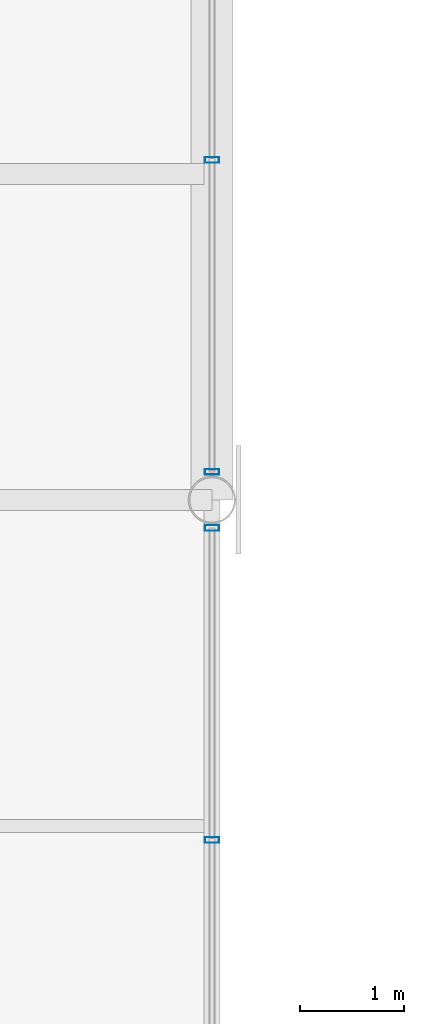
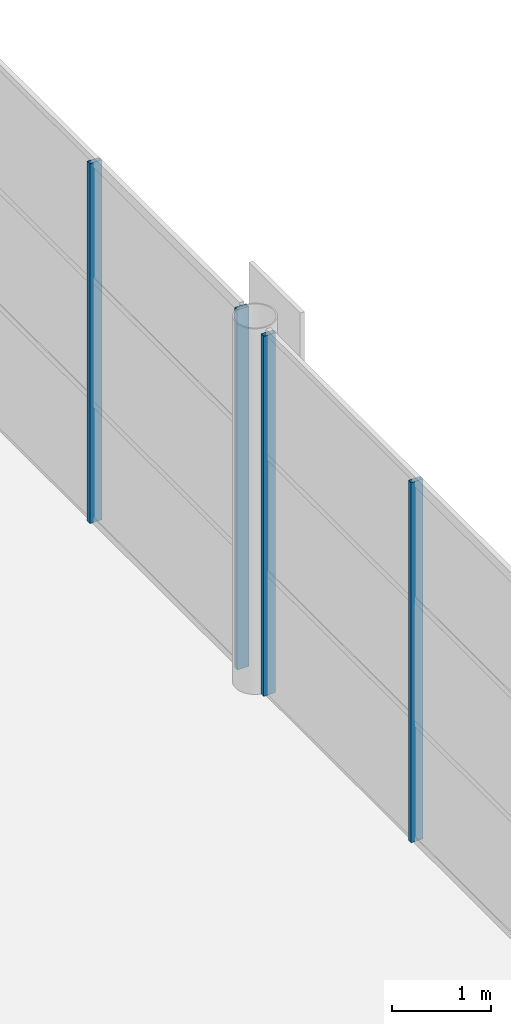
# One storey, part 45 of 101: 4 members, 2 elements without a shape of their own.
"""IFC4 building model written with IfcOpenShell, lengths in metres."""

from ifc_helpers import new_model, si_unit, direction, frame, origin, origin_2d, place, context, subcontext, project, spatial, hollow_rectangle, extrude, material, material_profile, profile_set, type_object, element, aggregate, save


model = new_model("IFC4")

# Units and contexts
model_context = context("Model", 3, precision=1e-05, world=origin(), true_north=direction((0.0, 1.0)))
body_context = subcontext(model_context, "Body", "Model", "MODEL_VIEW")
ifc_project = project(units=[si_unit("LENGTHUNIT", "METRE"), si_unit("AREAUNIT", "SQUARE_METRE"), si_unit("VOLUMEUNIT", "CUBIC_METRE"), si_unit("PLANEANGLEUNIT", "RADIAN"), si_unit("MASSUNIT", "GRAM", prefix="KILO")], contexts=[model_context])

# Site, building, storey
site_placement = place(None, origin())
site = spatial("IfcSite", under=ifc_project, at=site_placement, CompositionType="ELEMENT")
building_placement = place(site_placement, origin())
building = spatial("IfcBuilding", under=site, at=building_placement, Name="Solvikara Media Centre", CompositionType="ELEMENT")
storey_placement = place(building_placement, frame((0.0, 0.0, 10.199951171875)))
storey = spatial("IfcBuildingStorey", under=building, at=storey_placement, Name="L02", CompositionType="ELEMENT", Elevation=10.199951171875)

# Curtain wall, members
ifc_material = material(Name="Anodised aluminium EN AW-6063", Category="aluminium")
curtain_wall_type = type_object("IfcCurtainWallType", Name="CW-08", PredefinedType="NOTDEFINED", material=ifc_material)
curtain_wall_1_placement = place(storey_placement, origin())
curtain_wall_1 = element("IfcCurtainWall", 1, at=curtain_wall_1_placement, inside=storey, type_object=curtain_wall_type, Name="CW-L02-V3E-S1", PredefinedType="NOTDEFINED")
ifc_material_profile = material_profile(ifc_material, hollow_rectangle(XDim=0.054931640625, YDim=0.139892578125, WallThickness=0.0029296875, at=origin_2d()), Name="ALU-M 55x140x3")
ifc_profile_set = profile_set([ifc_material_profile], Name="Anodised aluminium EN AW-6063")
member_type = type_object("IfcMemberType", Name="MF-05", PredefinedType="MULLION", material=ifc_profile_set)
member_1_placement = place(storey_placement, frame((34.0, 98.239990234375, 0.02001953125), z_axis=(0.0, 0.0, 1.0), x_axis=(0.0, 1.0, 0.0)))
member_1 = element("IfcMember", 2, at=member_1_placement, type_object=member_type, Name="CW-L02-V3E-S1-M03", PredefinedType="MULLION", context=body_context, shape_type="SweptSolid", body=[
    extrude(hollow_rectangle(XDim=0.054931640625, YDim=0.139892578125, WallThickness=0.0029296875, at=origin_2d()), origin(), (0.0, 0.0, 1.0), 4.4599609375),
])
member_2_placement = place(storey_placement, frame((34.0, 101.23095703125, 0.02001953125), z_axis=(0.0, 0.0, 1.0), x_axis=(0.0, 1.0, 0.0)))
member_2 = element("IfcMember", 3, at=member_2_placement, type_object=member_type, Name="CW-L02-V3E-S1-M04", PredefinedType="MULLION", context=body_context, shape_type="SweptSolid", body=[
    extrude(hollow_rectangle(XDim=0.054931640625, YDim=0.139892578125, WallThickness=0.0029296875, at=origin_2d()), origin(), (0.0, 0.0, 1.0), 4.4599609375),
])
aggregate(curtain_wall_1, [member_1, member_2])

curtain_wall_2_placement = place(storey_placement, origin())
curtain_wall_2 = element("IfcCurtainWall", 4, at=curtain_wall_2_placement, inside=storey, type_object=curtain_wall_type, Name="CW-L02-V3E-S2", PredefinedType="NOTDEFINED")
member_3_placement = place(storey_placement, frame((34.0, 101.76904296875, 0.02001953125), z_axis=(0.0, 0.0, 1.0), x_axis=(0.0, 1.0, 0.0)))
member_3 = element("IfcMember", 5, at=member_3_placement, type_object=member_type, Name="CW-L02-V3E-S2-M00", PredefinedType="MULLION", context=body_context, shape_type="SweptSolid", body=[
    extrude(hollow_rectangle(XDim=0.054931640625, YDim=0.139892578125, WallThickness=0.0029296875, at=origin_2d()), origin(), (0.0, 0.0, 1.0), 4.4599609375),
])
member_4_placement = place(storey_placement, frame((34.0, 104.759033203125, 0.02001953125), z_axis=(0.0, 0.0, 1.0), x_axis=(0.0, 1.0, 0.0)))
member_4 = element("IfcMember", 6, at=member_4_placement, type_object=member_type, Name="CW-L02-V3E-S2-M01", PredefinedType="MULLION", context=body_context, shape_type="SweptSolid", body=[
    extrude(hollow_rectangle(XDim=0.054931640625, YDim=0.139892578125, WallThickness=0.0029296875, at=origin_2d()), origin(), (0.0, 0.0, 1.0), 4.4599609375),
])
aggregate(curtain_wall_2, [member_3, member_4])

save(model, "model.ifc")
